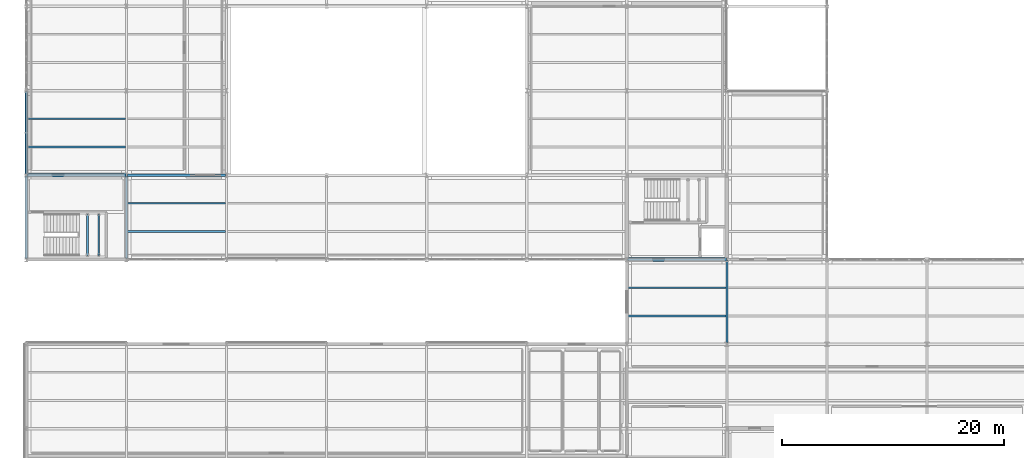
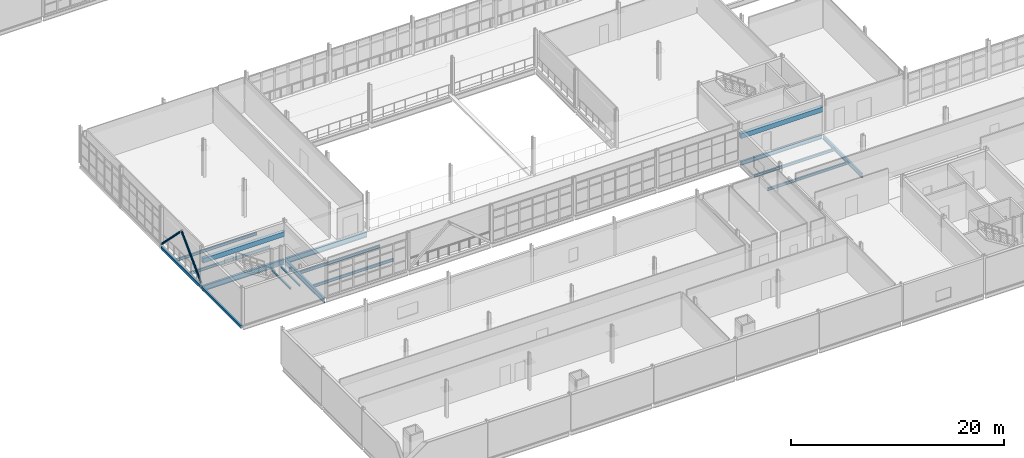
# One storey, part 37 of 174: 17 beams, 2 members.
"""IFC4 building model written with IfcOpenShell, lengths in metres."""

from ifc_helpers import new_model, si_unit, direction, frame, origin, origin_2d, place, context, subcontext, project, spatial, rectangle, hollow_rectangle, hollow_circle, i_section, extrude, material, material_profile, profile_set, type_object, element, save


model = new_model("IFC4")

# Units and contexts
model_context = context("Model", 3, precision=1e-05, world=origin(), true_north=direction((0.0, 1.0)))
body_context = subcontext(model_context, "Body", "Model", "MODEL_VIEW")
ifc_project = project(units=[si_unit("LENGTHUNIT", "METRE"), si_unit("AREAUNIT", "SQUARE_METRE"), si_unit("VOLUMEUNIT", "CUBIC_METRE"), si_unit("PLANEANGLEUNIT", "RADIAN"), si_unit("MASSUNIT", "GRAM", prefix="KILO")], contexts=[model_context])

# Site, building, storey
site_placement = place(None, origin())
site = spatial("IfcSite", under=ifc_project, at=site_placement, CompositionType="ELEMENT")
building_placement = place(site_placement, origin())
building = spatial("IfcBuilding", under=site, at=building_placement, Name="Caisbarro Railhouse Central Library", CompositionType="ELEMENT")
storey_placement = place(building_placement, frame((0.0, 0.0, 5.0400390625)))
storey = spatial("IfcBuildingStorey", under=building, at=storey_placement, Name="L01", CompositionType="ELEMENT", Elevation=5.0400390625)

# Beams
ifc_material_1 = material(Name="Steel ASTM A572 Grade 50", Category="steel")
ifc_material_profile_1 = material_profile(ifc_material_1, i_section(OverallWidth=0.22802734375, OverallDepth=0.60791015625, WebThickness=0.01123046875, FlangeThickness=0.017333984375, FilletRadius=0.02197265625, at=origin_2d()), Name="W610X113.0")
ifc_profile_set_1 = profile_set([ifc_material_profile_1], Name="Steel ASTM A572 Grade 50")
beam_type_1 = type_object("IfcBeamType", Name="BM-G04", PredefinedType="BEAM", material=ifc_profile_set_1)
for number, where, z_axis, x_axis, name in (
    (1, (0.080078125, 38.0, -0.52392578125), (1.0, 0.0, 0.0), (0.0, 1.0, 0.0), "G04 beam L01 #796"),
    (2, (9.080078125, 38.0, -0.52392578125), (1.0, 0.0, 0.0), (0.0, 1.0, 0.0), "G04 beam L01 #797"),
):
    element("IfcBeam", number, at=place(storey_placement, frame(where, z_axis=z_axis, x_axis=x_axis)), inside=storey, type_object=beam_type_1, Name=name, PredefinedType="BEAM", context=body_context, shape_type="SweptSolid", body=[
        extrude(i_section(OverallWidth=0.22802734375, OverallDepth=0.60791015625, WebThickness=0.01123046875, FlangeThickness=0.017333984375, FilletRadius=0.02197265625, at=origin_2d()), origin(), (0.0, 0.0, 1.0), 8.83984375),
    ])
ifc_material_profile_2 = material_profile(ifc_material_1, i_section(OverallWidth=0.208984375, OverallDepth=0.532958984375, WebThickness=0.01025390625, FlangeThickness=0.015625, FilletRadius=0.02001953125, at=origin_2d()), Name="W530X92.0")
ifc_profile_set_2 = profile_set([ifc_material_profile_2], Name="Steel ASTM A572 Grade 50")
beam_type_2 = type_object("IfcBeamType", Name="BM-G06", PredefinedType="BEAM", material=ifc_profile_set_2)
beam_1_placement = place(storey_placement, frame((9.0, 30.47998046875, -0.486572265625), z_axis=(0.0, 1.0, 0.0), x_axis=(-1.0, 0.0, 0.0)))
element("IfcBeam", 3, at=beam_1_placement, inside=storey, type_object=beam_type_2, Name="G06 beam L01 #829", PredefinedType="BEAM", context=body_context, shape_type="SweptSolid", body=[
    extrude(i_section(OverallWidth=0.208984375, OverallDepth=0.532958984375, WebThickness=0.01025390625, FlangeThickness=0.015625, FilletRadius=0.02001953125, at=origin_2d()), origin(), (0.0, 0.0, 1.0), 7.43994140625),
])
ifc_material_profile_3 = material_profile(ifc_material_1, i_section(OverallWidth=0.194091796875, OverallDepth=0.468994140625, WebThickness=0.0126953125, FlangeThickness=0.0205078125, FilletRadius=0.01806640625, at=origin_2d()), Name="W460X106.0")
ifc_profile_set_3 = profile_set([ifc_material_profile_3], Name="Steel ASTM A572 Grade 50")
beam_type_3 = type_object("IfcBeamType", Name="BM-G07", PredefinedType="BEAM", material=ifc_profile_set_3)
beam_2_placement = place(storey_placement, frame((63.0, 22.8798828125, -0.474609375), z_axis=(0.0, 1.0, 0.0), x_axis=(-1.0, 0.0, 0.0)))
element("IfcBeam", 4, at=beam_2_placement, inside=storey, type_object=beam_type_3, Name="G07 beam L01 #729", PredefinedType="BEAM", context=body_context, shape_type="SweptSolid", body=[
    extrude(i_section(OverallWidth=0.194091796875, OverallDepth=0.468994140625, WebThickness=0.0126953125, FlangeThickness=0.0205078125, FilletRadius=0.01806640625, at=origin_2d()), origin(), (0.0, 0.0, 1.0), 7.440185546875),
])
ifc_material_profile_4 = material_profile(ifc_material_1, i_section(OverallWidth=0.1669921875, OverallDepth=0.31689453125, WebThickness=0.007568359375, FlangeThickness=0.01318359375, FilletRadius=0.011962890625, at=origin_2d()), Name="W310X52.0")
ifc_profile_set_4 = profile_set([ifc_material_profile_4], Name="Steel ASTM A572 Grade 50")
beam_type_4 = type_object("IfcBeamType", Name="BM-J02", PredefinedType="JOIST", material=ifc_profile_set_4)
for number, where, z_axis, x_axis, name in (
    (5, (54.096923828125, 25.333251953125, -0.3984375), (1.0, 0.0, 0.0), (0.0, 1.0, 0.0), "J02 beam L01 #756"),
    (6, (54.096923828125, 27.86669921875, -0.3984375), (1.0, 0.0, 0.0), (0.0, 1.0, 0.0), "J02 beam L01 #757"),
):
    element("IfcBeam", number, at=place(storey_placement, frame(where, z_axis=z_axis, x_axis=x_axis)), inside=storey, type_object=beam_type_4, Name=name, PredefinedType="JOIST", context=body_context, shape_type="SweptSolid", body=[
        extrude(i_section(OverallWidth=0.1669921875, OverallDepth=0.31689453125, WebThickness=0.007568359375, FlangeThickness=0.01318359375, FilletRadius=0.011962890625, at=origin_2d()), origin(), (0.0, 0.0, 1.0), 8.80615234375),
    ])
ifc_material_profile_5 = material_profile(ifc_material_1, i_section(OverallWidth=0.1650390625, OverallDepth=0.31005859375, WebThickness=0.005859375, FlangeThickness=0.009765625, FilletRadius=0.011962890625, at=origin_2d()), Name="W310X38.7")
ifc_profile_set_5 = profile_set([ifc_material_profile_5], Name="Steel ASTM A572 Grade 50")
beam_type_5 = type_object("IfcBeamType", Name="BM-J03", PredefinedType="JOIST", material=ifc_profile_set_5)
for number, where, z_axis, x_axis, name in (
    (7, (0.10009765625, 40.533203125, -0.375), (1.0, 0.0, 0.0), (0.0, 1.0, 0.0), "J03 beam L01 #857"),
    (8, (0.10009765625, 43.066650390625, -0.375), (1.0, 0.0, 0.0), (0.0, 1.0, 0.0), "J03 beam L01 #858"),
):
    element("IfcBeam", number, at=place(storey_placement, frame(where, z_axis=z_axis, x_axis=x_axis)), inside=storey, type_object=beam_type_5, Name=name, PredefinedType="JOIST", context=body_context, shape_type="SweptSolid", body=[
        extrude(i_section(OverallWidth=0.1650390625, OverallDepth=0.31005859375, WebThickness=0.005859375, FlangeThickness=0.009765625, FilletRadius=0.011962890625, at=origin_2d()), origin(), (0.0, 0.0, 1.0), 8.79541015625),
    ])
for number, where, z_axis, x_axis, name in (
    (9, (9.1044921875, 32.933349609375, -0.375), (1.0, 0.0, 0.0), (0.0, 1.0, 0.0), "J03 beam L01 #863"),
    (10, (9.1044921875, 35.466796875, -0.375), (1.0, 0.0, 0.0), (0.0, 1.0, 0.0), "J03 beam L01 #864"),
):
    element("IfcBeam", number, at=place(storey_placement, frame(where, z_axis=z_axis, x_axis=x_axis)), inside=storey, type_object=beam_type_5, Name=name, PredefinedType="JOIST", context=body_context, shape_type="SweptSolid", body=[
        extrude(i_section(OverallWidth=0.1650390625, OverallDepth=0.31005859375, WebThickness=0.005859375, FlangeThickness=0.009765625, FilletRadius=0.011962890625, at=origin_2d()), origin(), (0.0, 0.0, 1.0), 8.791015625),
    ])
ifc_material_2 = material(Name="Concrete C40", Category="concrete")
ifc_material_profile_6 = material_profile(ifc_material_2, rectangle(XDim=0.35009765625, YDim=0.550048828125, at=origin_2d()), Name="RC-LIN-350X550")
ifc_profile_set_6 = profile_set([ifc_material_profile_6], Name="Concrete C40")
beam_type_6 = type_object("IfcBeamType", Name="BM-LN01", PredefinedType="LINTEL", material=ifc_profile_set_6)
for number, where, z_axis, x_axis, name in (
    (11, (54.050048828125, 30.39990234375, 2.724853515625), (1.0, 0.0, 0.0), (0.0, 1.0, 0.0), "LN01 RC core coupling lintel K4 L01"),
    (12, (0.050048828125, 38.0, 2.724853515625), (1.0, 0.0, 0.0), (0.0, 1.0, 0.0), "LN01 RC core coupling lintel K6 L01"),
):
    element("IfcBeam", number, at=place(storey_placement, frame(where, z_axis=z_axis, x_axis=x_axis)), inside=storey, type_object=beam_type_6, Name=name, PredefinedType="LINTEL", context=body_context, shape_type="SweptSolid", body=[
        extrude(rectangle(XDim=0.35009765625, YDim=0.550048828125, at=origin_2d()), origin(), (0.0, 0.0, 1.0), 8.89990234375),
    ])
ifc_material_profile_7 = material_profile(ifc_material_1, i_section(OverallWidth=0.152099609375, OverallDepth=0.152099609375, WebThickness=0.005859375, FlangeThickness=0.006591796875, FilletRadius=0.008056640625, at=origin_2d()), Name="W150X22.5")
ifc_profile_set_7 = profile_set([ifc_material_profile_7], Name="Steel ASTM A572 Grade 50")
beam_type_7 = type_object("IfcBeamType", Name="BM-SL01", PredefinedType="BEAM", material=ifc_profile_set_7)
for number, where, z_axis, x_axis, name in (
    (13, (5.5, 30.780029296875, 1.89404296875), (0.0, 1.0, 0.0), (-1.0, 0.0, 0.0), "SL01 Stair Landing Support Beam K6 L01 W"),
    (14, (6.5, 30.780029296875, 1.89404296875), (0.0, 1.0, 0.0), (-1.0, 0.0, 0.0), "SL01 Stair Landing Support Beam K6 L01 E"),
):
    element("IfcBeam", number, at=place(storey_placement, frame(where, z_axis=z_axis, x_axis=x_axis)), inside=storey, type_object=beam_type_7, Name=name, PredefinedType="BEAM", context=body_context, shape_type="SweptSolid", body=[
        extrude(i_section(OverallWidth=0.152099609375, OverallDepth=0.152099609375, WebThickness=0.005859375, FlangeThickness=0.006591796875, FilletRadius=0.008056640625, at=origin_2d()), origin(), (0.0, 0.0, 1.0), 3.68994140625),
    ])
ifc_material_profile_8 = material_profile(ifc_material_1, i_section(OverallWidth=0.18994140625, OverallDepth=0.45703125, WebThickness=0.009033203125, FlangeThickness=0.014404296875, FilletRadius=0.01806640625, at=origin_2d()), Name="W460X74.0")
ifc_profile_set_8 = profile_set([ifc_material_profile_8], Name="Steel ASTM A572 Grade 50")
beam_type_8 = type_object("IfcBeamType", Name="BM-SP01", PredefinedType="SPANDREL", material=ifc_profile_set_8)
beam_3_placement = place(storey_placement, frame((54.080078125, 30.39990234375, -0.468505859375), z_axis=(1.0, 0.0, 0.0), x_axis=(0.0, 1.0, 0.0)))
element("IfcBeam", 15, at=beam_3_placement, inside=storey, type_object=beam_type_8, Name="SP01 beam L01 #716", PredefinedType="SPANDREL", context=body_context, shape_type="SweptSolid", body=[
    extrude(i_section(OverallWidth=0.18994140625, OverallDepth=0.45703125, WebThickness=0.009033203125, FlangeThickness=0.014404296875, FilletRadius=0.01806640625, at=origin_2d()), origin(), (0.0, 0.0, 1.0), 8.83984375),
])
ifc_material_profile_9 = material_profile(ifc_material_1, hollow_rectangle(XDim=0.199951171875, YDim=0.300048828125, WallThickness=0.012451171875, at=origin_2d()), Name="HSS300X200X12.5")
ifc_profile_set_9 = profile_set([ifc_material_profile_9], Name="Steel ASTM A572 Grade 50")
beam_type_9 = type_object("IfcBeamType", Name="BM-SP02", PredefinedType="SPANDREL", material=ifc_profile_set_9)
for number, where, z_axis, x_axis, name in (
    (16, (0.0, 30.47998046875, -0.3701171875), (0.0, 1.0, 0.0), (-1.0, 0.0, 0.0), "SP02 beam L01 #825"),
    (17, (0.0, 38.080078125, -0.3701171875), (0.0, 1.0, 0.0), (-1.0, 0.0, 0.0), "SP02 beam L01 #826"),
):
    element("IfcBeam", number, at=place(storey_placement, frame(where, z_axis=z_axis, x_axis=x_axis)), inside=storey, type_object=beam_type_9, Name=name, PredefinedType="SPANDREL", context=body_context, shape_type="SweptSolid", body=[
        extrude(hollow_rectangle(XDim=0.199951171875, YDim=0.300048828125, WallThickness=0.012451171875, at=origin_2d()), origin(), (0.0, 0.0, 1.0), 7.43994140625),
    ])

# Members
ifc_material_profile_10 = material_profile(ifc_material_1, hollow_circle(Radius=0.109619140625, WallThickness=0.010009765625, at=origin_2d()), Name="CHS219.1X10")
ifc_profile_set_10 = profile_set([ifc_material_profile_10], Name="Steel ASTM A572 Grade 50")
member_type = type_object("IfcMemberType", Name="MEM-BR03", PredefinedType="BRACE", material=ifc_profile_set_10)
for number, where, z_axis, x_axis, name in (
    (18, (0.0, 38.06005859375, 0.02001953125), (0.0, 0.705196384846, 0.709012030082), (-1.0, 0.0, 0.0), "BR03 chevron brace X0-M L01.1"),
    (19, (0.0, 45.5400390625, 0.02001953125), (0.0, -0.705196384846, 0.709012030082), (1.0, 0.0, 0.0), "BR03 chevron brace X0-M L01.2"),
):
    element("IfcMember", number, at=place(storey_placement, frame(where, z_axis=z_axis, x_axis=x_axis)), inside=storey, type_object=member_type, Name=name, PredefinedType="BRACE", context=body_context, shape_type="SweptSolid", body=[
        extrude(hollow_circle(Radius=0.109619140625, WallThickness=0.010009765625, at=origin_2d()), origin(), (0.0, 0.0, 1.0), 5.24658203125),
    ])

save(model, "model.ifc")
